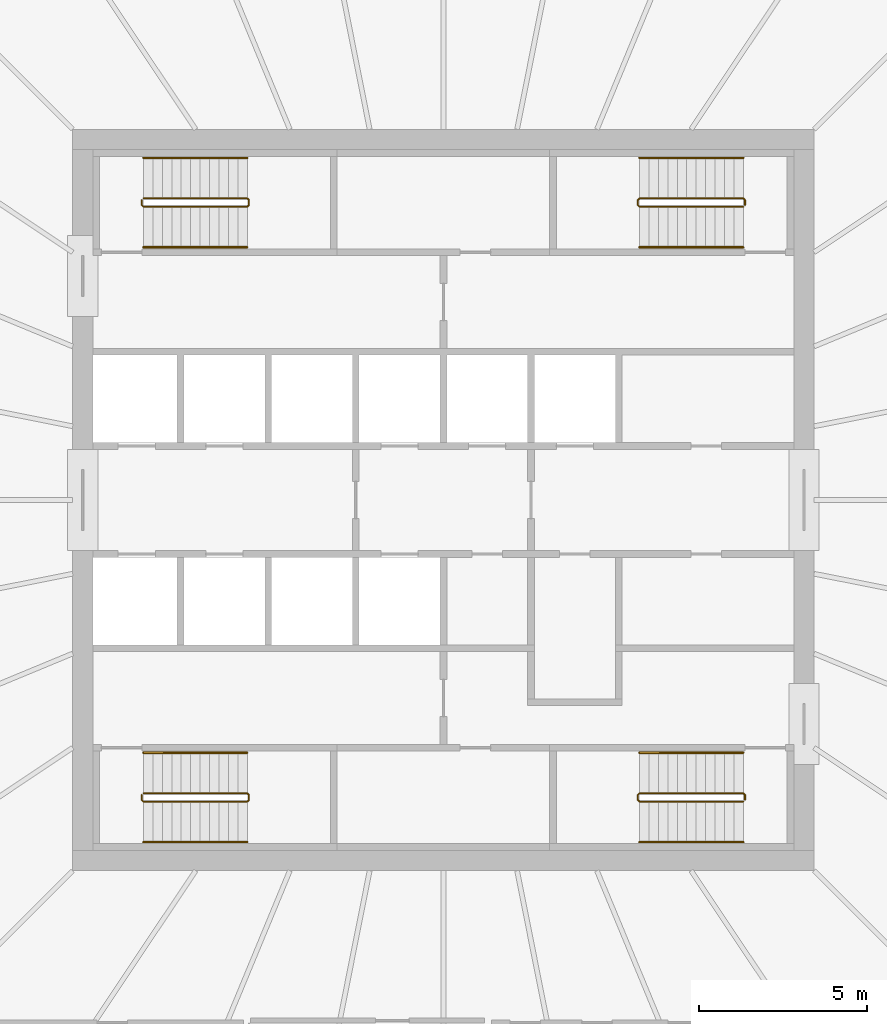
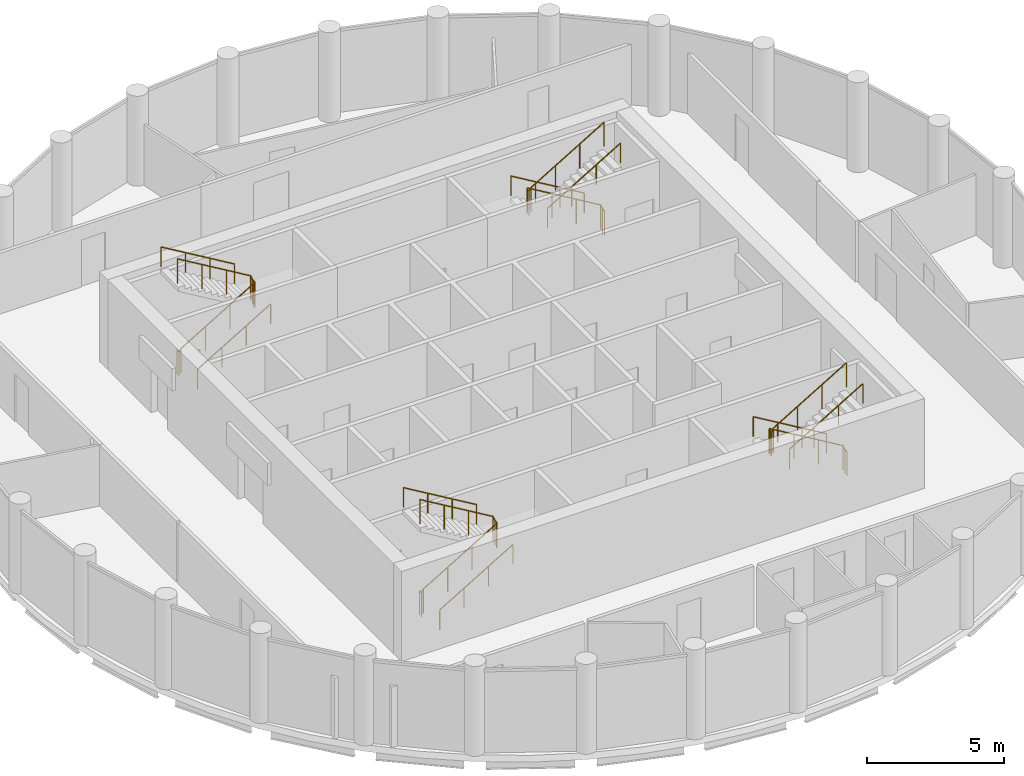
# One storey, part 7 of 7: 12 railings.
"""IFC4 building model written with IfcOpenShell, lengths in metres."""

from ifc_helpers import new_model, si_unit, direction, frame, origin, origin_2d, place, context, subcontext, project, spatial, circle, extrude, material, type_object, element, save


model = new_model("IFC4")

# Units and contexts
model_context = context("Model", 3, precision=1e-05, world=origin(), true_north=direction((0.0, 1.0)))
body_context = subcontext(model_context, "Body", "Model", "MODEL_VIEW")
ifc_project = project(units=[si_unit("LENGTHUNIT", "METRE"), si_unit("AREAUNIT", "SQUARE_METRE"), si_unit("VOLUMEUNIT", "CUBIC_METRE"), si_unit("PLANEANGLEUNIT", "RADIAN"), si_unit("MASSUNIT", "GRAM", prefix="KILO")], contexts=[model_context])

# Site, building, storey
site_placement = place(None, origin())
site = spatial("IfcSite", under=ifc_project, at=site_placement, CompositionType="ELEMENT")
building_placement = place(site_placement, origin())
building = spatial("IfcBuilding", under=site, at=building_placement, Name="Corvane Civic Tower", CompositionType="ELEMENT")
storey_placement = place(building_placement, frame((0.0, 0.0, 332.5)))
storey = spatial("IfcBuildingStorey", under=building, at=storey_placement, Name="L79", CompositionType="ELEMENT", Elevation=332.5)

# Railings
ifc_material_1 = material(Name="Steel ASTM A572 Gr 50", Category="steel")
railing_type_1 = type_object("IfcRailingType", Name="ST-GUARD-1100", PredefinedType="GUARDRAIL", material=ifc_material_1)
railing_1_placement = place(storey_placement, frame((8.949951171875, 8.75, 0.0)))
element("IfcRailing", 1, at=railing_1_placement, inside=storey, type_object=railing_type_1, Name="L79 ST1 stair guard 1", PredefinedType="GUARDRAIL", context=body_context, shape_type="SweptSolid", body=[
    extrude(circle(Radius=0.02392578125, at=origin_2d()), frame((0.0, 0.0, 1.076171875), z_axis=(0.0, 1.0, 0.0), x_axis=(-1.0, 0.0, 0.0)), (0.0, 0.0, 1.0), 0.14990234375),
    extrude(circle(Radius=0.02392578125, at=origin_2d()), frame((0.0, 0.14990234375, 1.076171875), z_axis=(-0.27628659633, 0.27628659633, 0.920506074601), x_axis=(-0.707106781187, -0.707106781187, 0.0)), (0.0, 0.0, 1.0), 0.18115234375),
    extrude(circle(Radius=0.02392578125, at=origin_2d()), frame((-0.050048828125, 0.199951171875, 1.24267578125), z_axis=(-0.859290745958, 0.0, 0.51148745235), x_axis=(0.0, -1.0, 0.0)), (0.0, 0.0, 1.0), 3.584228515625),
    extrude(circle(Radius=0.02392578125, at=origin_2d()), frame((-3.1298828125, 0.199951171875, 3.076171875), z_axis=(-0.707106781187, -0.707106781187, 0.0), x_axis=(0.707106781187, -0.707106781187, 0.0)), (0.0, 0.0, 1.0), 0.07080078125),
    extrude(circle(Radius=0.02392578125, at=origin_2d()), frame((-3.179931640625, 0.14990234375, 3.076171875), z_axis=(0.0, -1.0, 0.0), x_axis=(1.0, 0.0, 0.0)), (0.0, 0.0, 1.0), 0.14990234375),
    extrude(circle(Radius=0.02392578125, at=origin_2d()), frame((-3.179931640625, 0.0, 3.076171875), z_axis=(0.27628659633, -0.27628659633, 0.920506074601), x_axis=(0.707106781187, 0.707106781187, 0.0)), (0.0, 0.0, 1.0), 0.18115234375),
    extrude(circle(Radius=0.02392578125, at=origin_2d()), frame((-3.1298828125, -0.050048828125, 3.24267578125), z_axis=(0.859290745958, 0.0, 0.51148745235), x_axis=(0.0, 1.0, 0.0)), (0.0, 0.0, 1.0), 3.584228515625),
    extrude(circle(Radius=0.02099609375, at=origin_2d()), origin(), (0.0, 0.0, 1.0), 1.052001953125),
    extrude(circle(Radius=0.02099609375, at=origin_2d()), frame((0.0, 0.14990234375, 0.0)), (0.0, 0.0, 1.0), 1.052001953125),
    extrude(circle(Radius=0.02099609375, at=origin_2d()), frame((-0.050048828125, 0.199951171875, 0.166748046875)), (0.0, 0.0, 1.0), 1.052001953125),
    extrude(circle(Radius=0.02099609375, at=origin_2d()), frame((-1.07666015625, 0.199951171875, 0.77783203125)), (0.0, 0.0, 1.0), 1.052001953125),
    extrude(circle(Radius=0.02099609375, at=origin_2d()), frame((-2.103271484375, 0.199951171875, 1.388916015625)), (0.0, 0.0, 1.0), 1.052001953125),
    extrude(circle(Radius=0.02099609375, at=origin_2d()), frame((-3.1298828125, 0.199951171875, 2.0)), (0.0, 0.0, 1.0), 1.052001953125),
    extrude(circle(Radius=0.02099609375, at=origin_2d()), frame((-3.179931640625, 0.14990234375, 2.0)), (0.0, 0.0, 1.0), 1.052001953125),
    extrude(circle(Radius=0.02099609375, at=origin_2d()), frame((-3.179931640625, 0.0, 2.0)), (0.0, 0.0, 1.0), 1.052001953125),
    extrude(circle(Radius=0.02099609375, at=origin_2d()), frame((-3.1298828125, -0.050048828125, 2.166748046875)), (0.0, 0.0, 1.0), 1.052001953125),
    extrude(circle(Radius=0.02099609375, at=origin_2d()), frame((-2.103271484375, -0.050048828125, 2.77783203125)), (0.0, 0.0, 1.0), 1.052001953125),
    extrude(circle(Radius=0.02099609375, at=origin_2d()), frame((-1.07666015625, -0.050048828125, 3.388916015625)), (0.0, 0.0, 1.0), 1.052001953125),
    extrude(circle(Radius=0.02099609375, at=origin_2d()), frame((-0.050048828125, -0.050048828125, 4.0)), (0.0, 0.0, 1.0), 1.052001953125),
])
railing_2_placement = place(storey_placement, frame((8.949951171875, -8.89990234375, 0.0)))
element("IfcRailing", 2, at=railing_2_placement, inside=storey, type_object=railing_type_1, Name="L79 ST2 stair guard 1", PredefinedType="GUARDRAIL", context=body_context, shape_type="SweptSolid", body=[
    extrude(circle(Radius=0.02392578125, at=origin_2d()), frame((0.0, 0.0, 1.076171875), z_axis=(0.0, 1.0, 0.0), x_axis=(-1.0, 0.0, 0.0)), (0.0, 0.0, 1.0), 0.14990234375),
    extrude(circle(Radius=0.02392578125, at=origin_2d()), frame((0.0, 0.14990234375, 1.076171875), z_axis=(-0.27628659633, 0.27628659633, 0.920506074601), x_axis=(-0.707106781187, -0.707106781187, 0.0)), (0.0, 0.0, 1.0), 0.18115234375),
    extrude(circle(Radius=0.02392578125, at=origin_2d()), frame((-0.050048828125, 0.199951171875, 1.24267578125), z_axis=(-0.859290745958, 0.0, 0.51148745235), x_axis=(0.0, -1.0, 0.0)), (0.0, 0.0, 1.0), 3.584228515625),
    extrude(circle(Radius=0.02392578125, at=origin_2d()), frame((-3.1298828125, 0.199951171875, 3.076171875), z_axis=(-0.707106781187, -0.707106781187, 0.0), x_axis=(0.707106781187, -0.707106781187, 0.0)), (0.0, 0.0, 1.0), 0.07080078125),
    extrude(circle(Radius=0.02392578125, at=origin_2d()), frame((-3.179931640625, 0.14990234375, 3.076171875), z_axis=(0.0, -1.0, 0.0), x_axis=(1.0, 0.0, 0.0)), (0.0, 0.0, 1.0), 0.14990234375),
    extrude(circle(Radius=0.02392578125, at=origin_2d()), frame((-3.179931640625, 0.0, 3.076171875), z_axis=(0.27628659633, -0.27628659633, 0.920506074601), x_axis=(0.707106781187, 0.707106781187, 0.0)), (0.0, 0.0, 1.0), 0.18115234375),
    extrude(circle(Radius=0.02392578125, at=origin_2d()), frame((-3.1298828125, -0.050048828125, 3.24267578125), z_axis=(0.859290745958, 0.0, 0.51148745235), x_axis=(0.0, 1.0, 0.0)), (0.0, 0.0, 1.0), 3.584228515625),
    extrude(circle(Radius=0.02099609375, at=origin_2d()), origin(), (0.0, 0.0, 1.0), 1.052001953125),
    extrude(circle(Radius=0.02099609375, at=origin_2d()), frame((0.0, 0.14990234375, 0.0)), (0.0, 0.0, 1.0), 1.052001953125),
    extrude(circle(Radius=0.02099609375, at=origin_2d()), frame((-0.050048828125, 0.199951171875, 0.166748046875)), (0.0, 0.0, 1.0), 1.052001953125),
    extrude(circle(Radius=0.02099609375, at=origin_2d()), frame((-1.07666015625, 0.199951171875, 0.77783203125)), (0.0, 0.0, 1.0), 1.052001953125),
    extrude(circle(Radius=0.02099609375, at=origin_2d()), frame((-2.103271484375, 0.199951171875, 1.388916015625)), (0.0, 0.0, 1.0), 1.052001953125),
    extrude(circle(Radius=0.02099609375, at=origin_2d()), frame((-3.1298828125, 0.199951171875, 2.0)), (0.0, 0.0, 1.0), 1.052001953125),
    extrude(circle(Radius=0.02099609375, at=origin_2d()), frame((-3.179931640625, 0.14990234375, 2.0)), (0.0, 0.0, 1.0), 1.052001953125),
    extrude(circle(Radius=0.02099609375, at=origin_2d()), frame((-3.179931640625, 0.0, 2.0)), (0.0, 0.0, 1.0), 1.052001953125),
    extrude(circle(Radius=0.02099609375, at=origin_2d()), frame((-3.1298828125, -0.050048828125, 2.166748046875)), (0.0, 0.0, 1.0), 1.052001953125),
    extrude(circle(Radius=0.02099609375, at=origin_2d()), frame((-2.103271484375, -0.050048828125, 2.77783203125)), (0.0, 0.0, 1.0), 1.052001953125),
    extrude(circle(Radius=0.02099609375, at=origin_2d()), frame((-1.07666015625, -0.050048828125, 3.388916015625)), (0.0, 0.0, 1.0), 1.052001953125),
    extrude(circle(Radius=0.02099609375, at=origin_2d()), frame((-0.050048828125, -0.050048828125, 4.0)), (0.0, 0.0, 1.0), 1.052001953125),
])
railing_3_placement = place(storey_placement, frame((-8.949951171875, -8.75, 0.0)))
element("IfcRailing", 3, at=railing_3_placement, inside=storey, type_object=railing_type_1, Name="L79 ST3 stair guard 1", PredefinedType="GUARDRAIL", context=body_context, shape_type="SweptSolid", body=[
    extrude(circle(Radius=0.02392578125, at=origin_2d()), frame((0.0, 0.0, 1.076171875), z_axis=(0.0, -1.0, 0.0), x_axis=(1.0, 0.0, 0.0)), (0.0, 0.0, 1.0), 0.14990234375),
    extrude(circle(Radius=0.02392578125, at=origin_2d()), frame((0.0, -0.14990234375, 1.076171875), z_axis=(0.27628659633, -0.27628659633, 0.920506074601), x_axis=(0.707106781187, 0.707106781187, 0.0)), (0.0, 0.0, 1.0), 0.18115234375),
    extrude(circle(Radius=0.02392578125, at=origin_2d()), frame((0.050048828125, -0.199951171875, 1.24267578125), z_axis=(0.859290745958, 0.0, 0.51148745235), x_axis=(0.0, 1.0, 0.0)), (0.0, 0.0, 1.0), 3.584228515625),
    extrude(circle(Radius=0.02392578125, at=origin_2d()), frame((3.1298828125, -0.199951171875, 3.076171875), z_axis=(0.707106781187, 0.707106781187, 0.0), x_axis=(-0.707106781187, 0.707106781187, 0.0)), (0.0, 0.0, 1.0), 0.07080078125),
    extrude(circle(Radius=0.02392578125, at=origin_2d()), frame((3.179931640625, -0.14990234375, 3.076171875), z_axis=(0.0, 1.0, 0.0), x_axis=(-1.0, 0.0, 0.0)), (0.0, 0.0, 1.0), 0.14990234375),
    extrude(circle(Radius=0.02392578125, at=origin_2d()), frame((3.179931640625, 0.0, 3.076171875), z_axis=(-0.27628659633, 0.27628659633, 0.920506074601), x_axis=(-0.707106781187, -0.707106781187, 0.0)), (0.0, 0.0, 1.0), 0.18115234375),
    extrude(circle(Radius=0.02392578125, at=origin_2d()), frame((3.1298828125, 0.050048828125, 3.24267578125), z_axis=(-0.859290745958, 0.0, 0.51148745235), x_axis=(0.0, -1.0, 0.0)), (0.0, 0.0, 1.0), 3.584228515625),
    extrude(circle(Radius=0.02099609375, at=origin_2d()), origin(), (0.0, 0.0, 1.0), 1.052001953125),
    extrude(circle(Radius=0.02099609375, at=origin_2d()), frame((0.0, -0.14990234375, 0.0)), (0.0, 0.0, 1.0), 1.052001953125),
    extrude(circle(Radius=0.02099609375, at=origin_2d()), frame((0.050048828125, -0.199951171875, 0.166748046875)), (0.0, 0.0, 1.0), 1.052001953125),
    extrude(circle(Radius=0.02099609375, at=origin_2d()), frame((1.07666015625, -0.199951171875, 0.77783203125)), (0.0, 0.0, 1.0), 1.052001953125),
    extrude(circle(Radius=0.02099609375, at=origin_2d()), frame((2.103271484375, -0.199951171875, 1.388916015625)), (0.0, 0.0, 1.0), 1.052001953125),
    extrude(circle(Radius=0.02099609375, at=origin_2d()), frame((3.1298828125, -0.199951171875, 2.0)), (0.0, 0.0, 1.0), 1.052001953125),
    extrude(circle(Radius=0.02099609375, at=origin_2d()), frame((3.179931640625, -0.14990234375, 2.0)), (0.0, 0.0, 1.0), 1.052001953125),
    extrude(circle(Radius=0.02099609375, at=origin_2d()), frame((3.179931640625, 0.0, 2.0)), (0.0, 0.0, 1.0), 1.052001953125),
    extrude(circle(Radius=0.02099609375, at=origin_2d()), frame((3.1298828125, 0.050048828125, 2.166748046875)), (0.0, 0.0, 1.0), 1.052001953125),
    extrude(circle(Radius=0.02099609375, at=origin_2d()), frame((2.103271484375, 0.050048828125, 2.77783203125)), (0.0, 0.0, 1.0), 1.052001953125),
    extrude(circle(Radius=0.02099609375, at=origin_2d()), frame((1.07666015625, 0.050048828125, 3.388916015625)), (0.0, 0.0, 1.0), 1.052001953125),
    extrude(circle(Radius=0.02099609375, at=origin_2d()), frame((0.050048828125, 0.050048828125, 4.0)), (0.0, 0.0, 1.0), 1.052001953125),
])
railing_4_placement = place(storey_placement, frame((-8.949951171875, 8.89990234375, 0.0)))
element("IfcRailing", 4, at=railing_4_placement, inside=storey, type_object=railing_type_1, Name="L79 ST4 stair guard 1", PredefinedType="GUARDRAIL", context=body_context, shape_type="SweptSolid", body=[
    extrude(circle(Radius=0.02392578125, at=origin_2d()), frame((0.0, 0.0, 1.076171875), z_axis=(0.0, -1.0, 0.0), x_axis=(1.0, 0.0, 0.0)), (0.0, 0.0, 1.0), 0.14990234375),
    extrude(circle(Radius=0.02392578125, at=origin_2d()), frame((0.0, -0.14990234375, 1.076171875), z_axis=(0.27628659633, -0.27628659633, 0.920506074601), x_axis=(0.707106781187, 0.707106781187, 0.0)), (0.0, 0.0, 1.0), 0.18115234375),
    extrude(circle(Radius=0.02392578125, at=origin_2d()), frame((0.050048828125, -0.199951171875, 1.24267578125), z_axis=(0.859290745958, 0.0, 0.51148745235), x_axis=(0.0, 1.0, 0.0)), (0.0, 0.0, 1.0), 3.584228515625),
    extrude(circle(Radius=0.02392578125, at=origin_2d()), frame((3.1298828125, -0.199951171875, 3.076171875), z_axis=(0.707106781187, 0.707106781187, 0.0), x_axis=(-0.707106781187, 0.707106781187, 0.0)), (0.0, 0.0, 1.0), 0.07080078125),
    extrude(circle(Radius=0.02392578125, at=origin_2d()), frame((3.179931640625, -0.14990234375, 3.076171875), z_axis=(0.0, 1.0, 0.0), x_axis=(-1.0, 0.0, 0.0)), (0.0, 0.0, 1.0), 0.14990234375),
    extrude(circle(Radius=0.02392578125, at=origin_2d()), frame((3.179931640625, 0.0, 3.076171875), z_axis=(-0.27628659633, 0.27628659633, 0.920506074601), x_axis=(-0.707106781187, -0.707106781187, 0.0)), (0.0, 0.0, 1.0), 0.18115234375),
    extrude(circle(Radius=0.02392578125, at=origin_2d()), frame((3.1298828125, 0.050048828125, 3.24267578125), z_axis=(-0.859290745958, 0.0, 0.51148745235), x_axis=(0.0, -1.0, 0.0)), (0.0, 0.0, 1.0), 3.584228515625),
    extrude(circle(Radius=0.02099609375, at=origin_2d()), origin(), (0.0, 0.0, 1.0), 1.052001953125),
    extrude(circle(Radius=0.02099609375, at=origin_2d()), frame((0.0, -0.14990234375, 0.0)), (0.0, 0.0, 1.0), 1.052001953125),
    extrude(circle(Radius=0.02099609375, at=origin_2d()), frame((0.050048828125, -0.199951171875, 0.166748046875)), (0.0, 0.0, 1.0), 1.052001953125),
    extrude(circle(Radius=0.02099609375, at=origin_2d()), frame((1.07666015625, -0.199951171875, 0.77783203125)), (0.0, 0.0, 1.0), 1.052001953125),
    extrude(circle(Radius=0.02099609375, at=origin_2d()), frame((2.103271484375, -0.199951171875, 1.388916015625)), (0.0, 0.0, 1.0), 1.052001953125),
    extrude(circle(Radius=0.02099609375, at=origin_2d()), frame((3.1298828125, -0.199951171875, 2.0)), (0.0, 0.0, 1.0), 1.052001953125),
    extrude(circle(Radius=0.02099609375, at=origin_2d()), frame((3.179931640625, -0.14990234375, 2.0)), (0.0, 0.0, 1.0), 1.052001953125),
    extrude(circle(Radius=0.02099609375, at=origin_2d()), frame((3.179931640625, 0.0, 2.0)), (0.0, 0.0, 1.0), 1.052001953125),
    extrude(circle(Radius=0.02099609375, at=origin_2d()), frame((3.1298828125, 0.050048828125, 2.166748046875)), (0.0, 0.0, 1.0), 1.052001953125),
    extrude(circle(Radius=0.02099609375, at=origin_2d()), frame((2.103271484375, 0.050048828125, 2.77783203125)), (0.0, 0.0, 1.0), 1.052001953125),
    extrude(circle(Radius=0.02099609375, at=origin_2d()), frame((1.07666015625, 0.050048828125, 3.388916015625)), (0.0, 0.0, 1.0), 1.052001953125),
    extrude(circle(Radius=0.02099609375, at=origin_2d()), frame((0.050048828125, 0.050048828125, 4.0)), (0.0, 0.0, 1.0), 1.052001953125),
])
ifc_material_2 = material(Name="Steel ASTM A572 Gr 50", Category="steel")
railing_type_2 = type_object("IfcRailingType", Name="ST-HANDRAIL-900", PredefinedType="HANDRAIL", material=ifc_material_2)
railing_5_placement = place(storey_placement, frame((8.89990234375, 10.14990234375, 0.166748046875)))
element("IfcRailing", 5, at=railing_5_placement, inside=storey, type_object=railing_type_2, Name="L79 ST1 stair handrail 1", PredefinedType="HANDRAIL", context=body_context, shape_type="SweptSolid", body=[
    extrude(circle(Radius=0.02392578125, at=origin_2d()), frame((0.0, 0.0, 0.8759765625), z_axis=(-0.859290745958, 0.0, 0.51148745235), x_axis=(0.0, -1.0, 0.0)), (0.0, 0.0, 1.0), 3.584228515625),
    extrude(circle(Radius=0.02099609375, at=origin_2d()), origin(), (0.0, 0.0, 1.0), 0.851806640625),
    extrude(circle(Radius=0.02099609375, at=origin_2d()), frame((-1.026611328125, 0.0, 0.611083984375)), (0.0, 0.0, 1.0), 0.851806640625),
    extrude(circle(Radius=0.02099609375, at=origin_2d()), frame((-2.05322265625, 0.0, 1.22216796875)), (0.0, 0.0, 1.0), 0.851806640625),
    extrude(circle(Radius=0.02099609375, at=origin_2d()), frame((-3.079833984375, 0.0, 1.833251953125)), (0.0, 0.0, 1.0), 0.851806640625),
])
railing_6_placement = place(storey_placement, frame((5.820068359375, 7.5, 2.166748046875)))
element("IfcRailing", 6, at=railing_6_placement, inside=storey, type_object=railing_type_2, Name="L79 ST1 stair handrail 2", PredefinedType="HANDRAIL", context=body_context, shape_type="SweptSolid", body=[
    extrude(circle(Radius=0.02392578125, at=origin_2d()), frame((0.0, 0.0, 0.8759765625), z_axis=(0.859290745958, 0.0, 0.51148745235), x_axis=(0.0, 1.0, 0.0)), (0.0, 0.0, 1.0), 3.584228515625),
    extrude(circle(Radius=0.02099609375, at=origin_2d()), origin(), (0.0, 0.0, 1.0), 0.851806640625),
    extrude(circle(Radius=0.02099609375, at=origin_2d()), frame((1.026611328125, 0.0, 0.611083984375)), (0.0, 0.0, 1.0), 0.851806640625),
    extrude(circle(Radius=0.02099609375, at=origin_2d()), frame((2.05322265625, 0.0, 1.22216796875)), (0.0, 0.0, 1.0), 0.851806640625),
    extrude(circle(Radius=0.02099609375, at=origin_2d()), frame((3.079833984375, 0.0, 1.833251953125)), (0.0, 0.0, 1.0), 0.851806640625),
])
railing_7_placement = place(storey_placement, frame((8.89990234375, -7.5, 0.166748046875)))
element("IfcRailing", 7, at=railing_7_placement, inside=storey, type_object=railing_type_2, Name="L79 ST2 stair handrail 1", PredefinedType="HANDRAIL", context=body_context, shape_type="SweptSolid", body=[
    extrude(circle(Radius=0.02392578125, at=origin_2d()), frame((0.0, 0.0, 0.8759765625), z_axis=(-0.859290745958, 0.0, 0.51148745235), x_axis=(0.0, -1.0, 0.0)), (0.0, 0.0, 1.0), 3.584228515625),
    extrude(circle(Radius=0.02099609375, at=origin_2d()), origin(), (0.0, 0.0, 1.0), 0.851806640625),
    extrude(circle(Radius=0.02099609375, at=origin_2d()), frame((-1.026611328125, 0.0, 0.611083984375)), (0.0, 0.0, 1.0), 0.851806640625),
    extrude(circle(Radius=0.02099609375, at=origin_2d()), frame((-2.05322265625, 0.0, 1.22216796875)), (0.0, 0.0, 1.0), 0.851806640625),
    extrude(circle(Radius=0.02099609375, at=origin_2d()), frame((-3.079833984375, 0.0, 1.833251953125)), (0.0, 0.0, 1.0), 0.851806640625),
])
for number, where, name in (
    (8, (5.820068359375, -10.14990234375, 2.166748046875), "L79 ST2 stair handrail 2"),
    (9, (-8.89990234375, -10.14990234375, 0.166748046875), "L79 ST3 stair handrail 1"),
):
    element("IfcRailing", number, at=place(storey_placement, frame(where)), inside=storey, type_object=railing_type_2, Name=name, PredefinedType="HANDRAIL", context=body_context, shape_type="SweptSolid", body=[
        extrude(circle(Radius=0.02392578125, at=origin_2d()), frame((0.0, 0.0, 0.8759765625), z_axis=(0.859290745958, 0.0, 0.51148745235), x_axis=(0.0, 1.0, 0.0)), (0.0, 0.0, 1.0), 3.584228515625),
        extrude(circle(Radius=0.02099609375, at=origin_2d()), origin(), (0.0, 0.0, 1.0), 0.851806640625),
        extrude(circle(Radius=0.02099609375, at=origin_2d()), frame((1.026611328125, 0.0, 0.611083984375)), (0.0, 0.0, 1.0), 0.851806640625),
        extrude(circle(Radius=0.02099609375, at=origin_2d()), frame((2.05322265625, 0.0, 1.22216796875)), (0.0, 0.0, 1.0), 0.851806640625),
        extrude(circle(Radius=0.02099609375, at=origin_2d()), frame((3.079833984375, 0.0, 1.833251953125)), (0.0, 0.0, 1.0), 0.851806640625),
    ])
railing_8_placement = place(storey_placement, frame((-5.820068359375, -7.5, 2.166748046875)))
element("IfcRailing", 10, at=railing_8_placement, inside=storey, type_object=railing_type_2, Name="L79 ST3 stair handrail 2", PredefinedType="HANDRAIL", context=body_context, shape_type="SweptSolid", body=[
    extrude(circle(Radius=0.02392578125, at=origin_2d()), frame((0.0, 0.0, 0.8759765625), z_axis=(-0.859290745958, 0.0, 0.51148745235), x_axis=(0.0, -1.0, 0.0)), (0.0, 0.0, 1.0), 3.584228515625),
    extrude(circle(Radius=0.02099609375, at=origin_2d()), origin(), (0.0, 0.0, 1.0), 0.851806640625),
    extrude(circle(Radius=0.02099609375, at=origin_2d()), frame((-1.026611328125, 0.0, 0.611083984375)), (0.0, 0.0, 1.0), 0.851806640625),
    extrude(circle(Radius=0.02099609375, at=origin_2d()), frame((-2.05322265625, 0.0, 1.22216796875)), (0.0, 0.0, 1.0), 0.851806640625),
    extrude(circle(Radius=0.02099609375, at=origin_2d()), frame((-3.079833984375, 0.0, 1.833251953125)), (0.0, 0.0, 1.0), 0.851806640625),
])
railing_9_placement = place(storey_placement, frame((-8.89990234375, 7.5, 0.166748046875)))
element("IfcRailing", 11, at=railing_9_placement, inside=storey, type_object=railing_type_2, Name="L79 ST4 stair handrail 1", PredefinedType="HANDRAIL", context=body_context, shape_type="SweptSolid", body=[
    extrude(circle(Radius=0.02392578125, at=origin_2d()), frame((0.0, 0.0, 0.8759765625), z_axis=(0.859290745958, 0.0, 0.51148745235), x_axis=(0.0, 1.0, 0.0)), (0.0, 0.0, 1.0), 3.584228515625),
    extrude(circle(Radius=0.02099609375, at=origin_2d()), origin(), (0.0, 0.0, 1.0), 0.851806640625),
    extrude(circle(Radius=0.02099609375, at=origin_2d()), frame((1.026611328125, 0.0, 0.611083984375)), (0.0, 0.0, 1.0), 0.851806640625),
    extrude(circle(Radius=0.02099609375, at=origin_2d()), frame((2.05322265625, 0.0, 1.22216796875)), (0.0, 0.0, 1.0), 0.851806640625),
    extrude(circle(Radius=0.02099609375, at=origin_2d()), frame((3.079833984375, 0.0, 1.833251953125)), (0.0, 0.0, 1.0), 0.851806640625),
])
railing_10_placement = place(storey_placement, frame((-5.820068359375, 10.14990234375, 2.166748046875)))
element("IfcRailing", 12, at=railing_10_placement, inside=storey, type_object=railing_type_2, Name="L79 ST4 stair handrail 2", PredefinedType="HANDRAIL", context=body_context, shape_type="SweptSolid", body=[
    extrude(circle(Radius=0.02392578125, at=origin_2d()), frame((0.0, 0.0, 0.8759765625), z_axis=(-0.859290745958, 0.0, 0.51148745235), x_axis=(0.0, -1.0, 0.0)), (0.0, 0.0, 1.0), 3.584228515625),
    extrude(circle(Radius=0.02099609375, at=origin_2d()), origin(), (0.0, 0.0, 1.0), 0.851806640625),
    extrude(circle(Radius=0.02099609375, at=origin_2d()), frame((-1.026611328125, 0.0, 0.611083984375)), (0.0, 0.0, 1.0), 0.851806640625),
    extrude(circle(Radius=0.02099609375, at=origin_2d()), frame((-2.05322265625, 0.0, 1.22216796875)), (0.0, 0.0, 1.0), 0.851806640625),
    extrude(circle(Radius=0.02099609375, at=origin_2d()), frame((-3.079833984375, 0.0, 1.833251953125)), (0.0, 0.0, 1.0), 0.851806640625),
])

save(model, "model.ifc")
